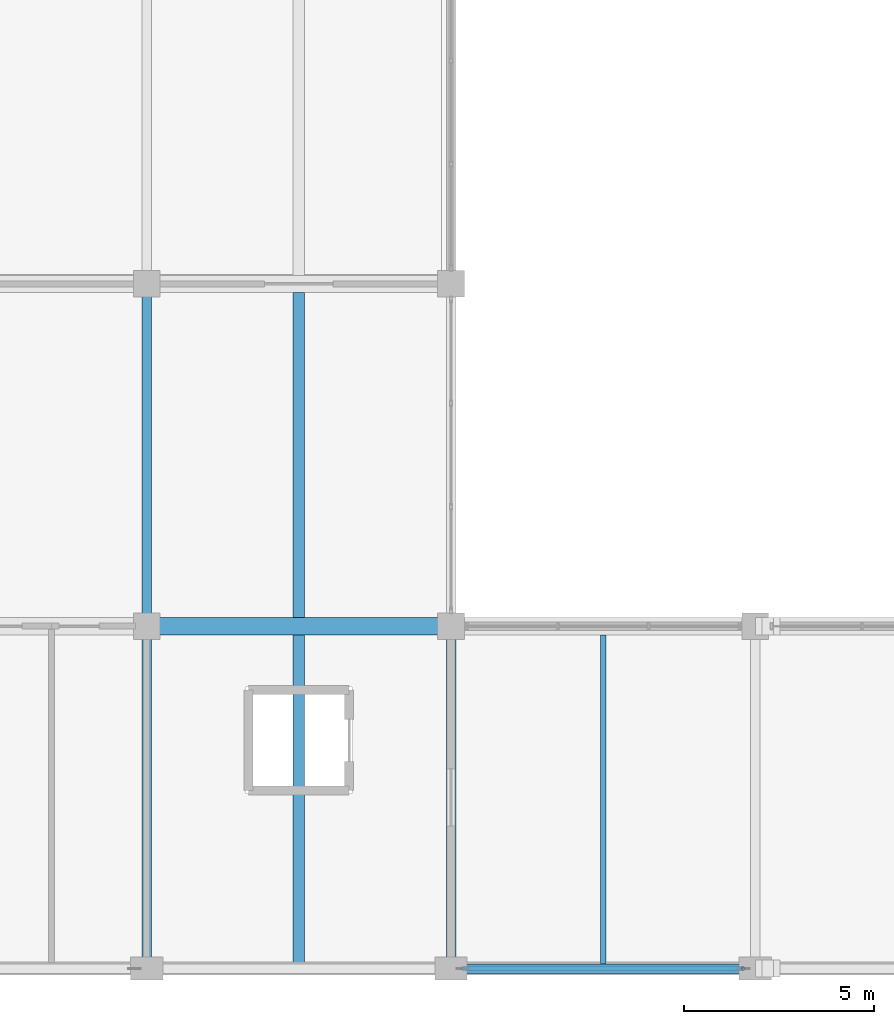
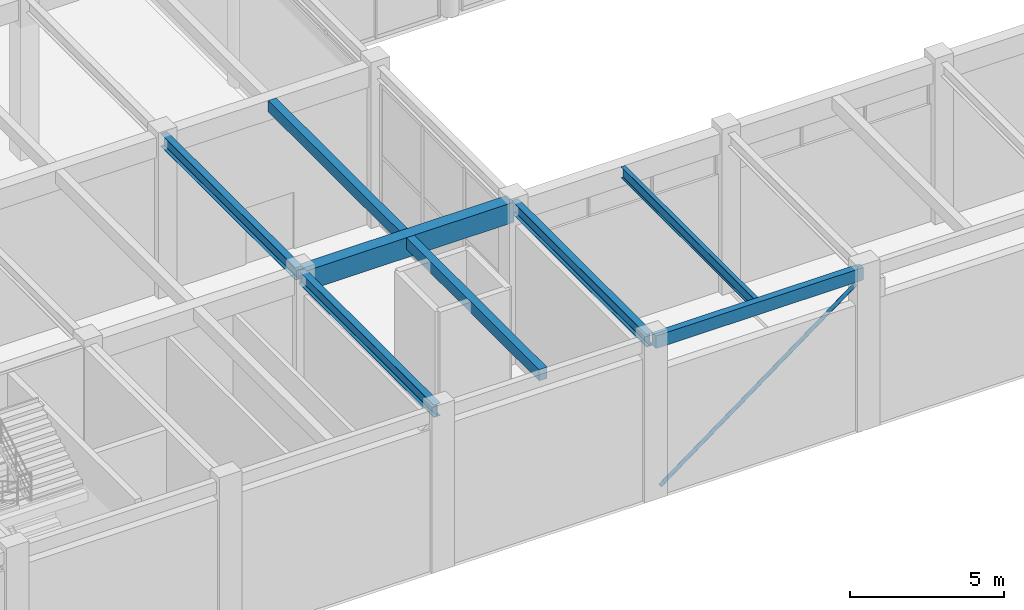
# One storey, part 29 of 163: 8 beams, 1 member.
"""IFC4 building model written with IfcOpenShell, lengths in metres."""

from ifc_helpers import new_model, si_unit, direction, frame, origin, origin_2d, place, context, subcontext, project, spatial, rectangle, hollow_circle, i_section, extrude, material, material_profile, profile_set, type_object, element, save


model = new_model("IFC4")

# Units and contexts
model_context = context("Model", 3, precision=1e-05, world=origin(), true_north=direction((0.0, 1.0)))
body_context = subcontext(model_context, "Body", "Model", "MODEL_VIEW")
ifc_project = project(units=[si_unit("LENGTHUNIT", "METRE"), si_unit("AREAUNIT", "SQUARE_METRE"), si_unit("VOLUMEUNIT", "CUBIC_METRE"), si_unit("PLANEANGLEUNIT", "RADIAN"), si_unit("MASSUNIT", "GRAM", prefix="KILO")], contexts=[model_context])

# Site, building, storey
site_placement = place(None, origin())
site = spatial("IfcSite", under=ifc_project, at=site_placement, CompositionType="ELEMENT")
building_placement = place(site_placement, origin())
building = spatial("IfcBuilding", under=site, at=building_placement, Name="Varnabhumi Central Station", CompositionType="ELEMENT")
storey_placement = place(building_placement, frame((0.0, 0.0, 9.60009765625)))
storey = spatial("IfcBuildingStorey", under=building, at=storey_placement, Name="L02", CompositionType="ELEMENT", Elevation=9.60009765625)

# Beams
ifc_material_1 = material(Name="Structural steel E350", Category="steel")
ifc_material_profile_1 = material_profile(ifc_material_1, i_section(OverallWidth=0.14990234375, OverallDepth=0.449951171875, WebThickness=0.009521484375, FlangeThickness=0.017333984375, FilletRadius=0.014892578125, at=origin_2d()), Name="Structural steel E350", Category="steel")
ifc_profile_set_1 = profile_set([ifc_material_profile_1], Name="Structural steel E350")
beam_type_1 = type_object("IfcBeamType", Name="BM-JST-ISMB450", PredefinedType="JOIST", material=ifc_profile_set_1)
beam_1_placement = place(storey_placement, frame((116.0, 0.125, 6.125), z_axis=(0.0, 1.0, 0.0), x_axis=(-1.0, 0.0, 0.0)))
element("IfcBeam", 1, at=beam_1_placement, inside=storey, type_object=beam_type_1, Name="Secondary Joist L02-15/16:A-B", PredefinedType="JOIST", context=body_context, shape_type="SweptSolid", body=[
    extrude(i_section(OverallWidth=0.14990234375, OverallDepth=0.449951171875, WebThickness=0.009521484375, FlangeThickness=0.017333984375, FilletRadius=0.014892578125, at=origin_2d()), origin(), (0.0, 0.0, 1.0), 8.64990234375),
])
ifc_material_2 = material(Name="Concrete M40", Category="concrete")
ifc_material_profile_2 = material_profile(ifc_material_2, rectangle(XDim=0.25, YDim=0.5, at=origin_2d()), Name="Concrete M40", Category="concrete")
ifc_profile_set_2 = profile_set([ifc_material_profile_2], Name="Concrete M40")
beam_type_2 = type_object("IfcBeamType", Name="BM-RC-250x500", PredefinedType="SPANDREL", material=ifc_profile_set_2)
beam_2_placement = place(storey_placement, frame((112.10009765625, 0.0, 6.099853515625), z_axis=(1.0, 0.0, 0.0), x_axis=(0.0, 1.0, 0.0)))
element("IfcBeam", 2, at=beam_2_placement, inside=storey, type_object=beam_type_2, Name="Beam L02-A:15-16", PredefinedType="SPANDREL", context=body_context, shape_type="SweptSolid", body=[
    extrude(rectangle(XDim=0.25, YDim=0.5, at=origin_2d()), origin(), (0.0, 0.0, 1.0), 7.7998046875),
])
ifc_material_profile_3 = material_profile(ifc_material_2, rectangle(XDim=0.300048828125, YDim=0.449951171875, at=origin_2d()), Name="Concrete M40", Category="concrete")
ifc_profile_set_3 = profile_set([ifc_material_profile_3], Name="Concrete M40")
beam_type_3 = type_object("IfcBeamType", Name="BM-RC-300x450", PredefinedType="JOIST", material=ifc_profile_set_3)
beam_3_placement = place(storey_placement, frame((108.0, 0.125, 6.125), z_axis=(0.0, 1.0, 0.0), x_axis=(-1.0, 0.0, 0.0)))
element("IfcBeam", 3, at=beam_3_placement, inside=storey, type_object=beam_type_3, Name="Secondary Joist L02-14/15:A-B", PredefinedType="JOIST", context=body_context, shape_type="SweptSolid", body=[
    extrude(rectangle(XDim=0.300048828125, YDim=0.449951171875, at=origin_2d()), origin(), (0.0, 0.0, 1.0), 8.64990234375),
])
beam_4_placement = place(storey_placement, frame((108.0, 9.22509765625, 6.125), z_axis=(0.0, 1.0, 0.0), x_axis=(-1.0, 0.0, 0.0)))
element("IfcBeam", 4, at=beam_4_placement, inside=storey, type_object=beam_type_3, Name="Secondary Joist L02-14/15:B-C", PredefinedType="JOIST", context=body_context, shape_type="SweptSolid", body=[
    extrude(rectangle(XDim=0.300048828125, YDim=0.449951171875, at=origin_2d()), origin(), (0.0, 0.0, 1.0), 8.5498046875),
])
ifc_material_profile_4 = material_profile(ifc_material_2, rectangle(XDim=0.449951171875, YDim=0.800048828125, at=origin_2d()), Name="Concrete M40", Category="concrete")
ifc_profile_set_4 = profile_set([ifc_material_profile_4], Name="Concrete M40")
beam_type_4 = type_object("IfcBeamType", Name="BM-RC-450x800", PredefinedType="BEAM", material=ifc_profile_set_4)
beam_5_placement = place(storey_placement, frame((104.10009765625, 9.0, 5.949951171875), z_axis=(1.0, 0.0, 0.0), x_axis=(0.0, 1.0, 0.0)))
element("IfcBeam", 5, at=beam_5_placement, inside=storey, type_object=beam_type_4, Name="Beam L02-B:14-15", PredefinedType="BEAM", context=body_context, shape_type="SweptSolid", body=[
    extrude(rectangle(XDim=0.449951171875, YDim=0.800048828125, at=origin_2d()), origin(), (0.0, 0.0, 1.0), 7.7998046875),
])
ifc_material_profile_5 = material_profile(ifc_material_1, i_section(OverallWidth=0.25, OverallDepth=0.5, WebThickness=0.010009765625, FlangeThickness=0.0146484375, FilletRadius=0.014892578125, at=origin_2d()), Name="Structural steel E350", Category="steel")
ifc_profile_set_5 = profile_set([ifc_material_profile_5], Name="Structural steel E350")
beam_type_5 = type_object("IfcBeamType", Name="BM-SEC-ISWB500", PredefinedType="BEAM", material=ifc_profile_set_5)
for number, where, z_axis, x_axis, name in (
    (6, (104.0, 0.10009765625, 6.099853515625), (0.0, 1.0, 0.0), (-1.0, 0.0, 0.0), "Beam L02-14:A-B"),
    (7, (112.0, 0.10009765625, 6.099853515625), (0.0, 1.0, 0.0), (-1.0, 0.0, 0.0), "Beam L02-15:A-B"),
    (8, (104.0, 9.10009765625, 6.099853515625), (0.0, 1.0, 0.0), (-1.0, 0.0, 0.0), "Beam L02-14:B-C"),
):
    element("IfcBeam", number, at=place(storey_placement, frame(where, z_axis=z_axis, x_axis=x_axis)), inside=storey, type_object=beam_type_5, Name=name, PredefinedType="BEAM", context=body_context, shape_type="SweptSolid", body=[
        extrude(i_section(OverallWidth=0.25, OverallDepth=0.5, WebThickness=0.010009765625, FlangeThickness=0.0146484375, FilletRadius=0.014892578125, at=origin_2d()), origin(), (0.0, 0.0, 1.0), 8.7998046875),
    ])

# Member
ifc_material_profile_6 = material_profile(ifc_material_1, hollow_circle(Radius=0.06982421875, WallThickness=0.00634765625, at=origin_2d()), Name="Structural steel E350", Category="steel")
ifc_profile_set_6 = profile_set([ifc_material_profile_6], Name="Structural steel E350")
member_type = type_object("IfcMemberType", Name="MBR-DIAG-CHS139", PredefinedType="BRACE", material=ifc_profile_set_6)
member_placement = place(storey_placement, frame((112.320068359375, 0.0, 0.25), z_axis=(0.803651161505, 0.0, 0.595100672669), x_axis=(0.0, 1.0, 0.0)))
element("IfcMember", 9, at=member_placement, inside=storey, type_object=member_type, Name="Lateral Frame Brace WB-8", PredefinedType="BRACE", context=body_context, shape_type="SweptSolid", body=[
    extrude(hollow_circle(Radius=0.06982421875, WallThickness=0.00634765625, at=origin_2d()), origin(), (0.0, 0.0, 1.0), 9.157958984375),
])

save(model, "model.ifc")
